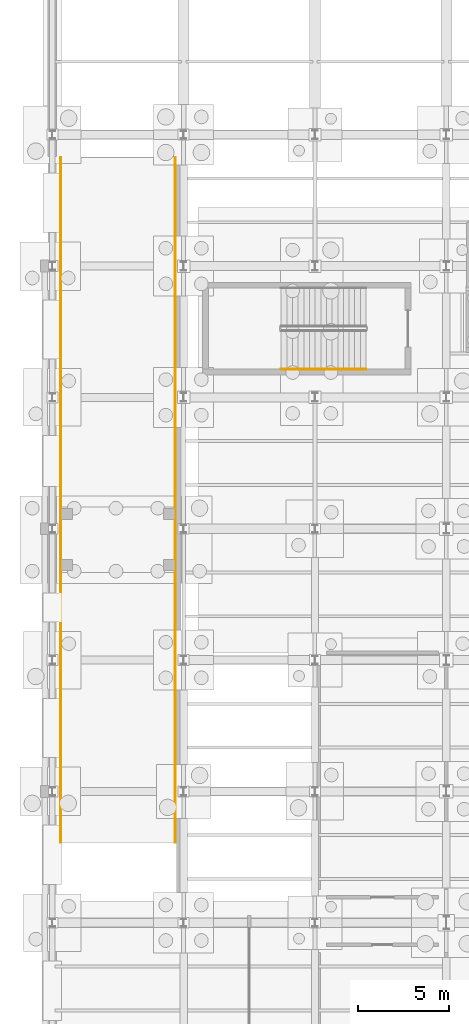
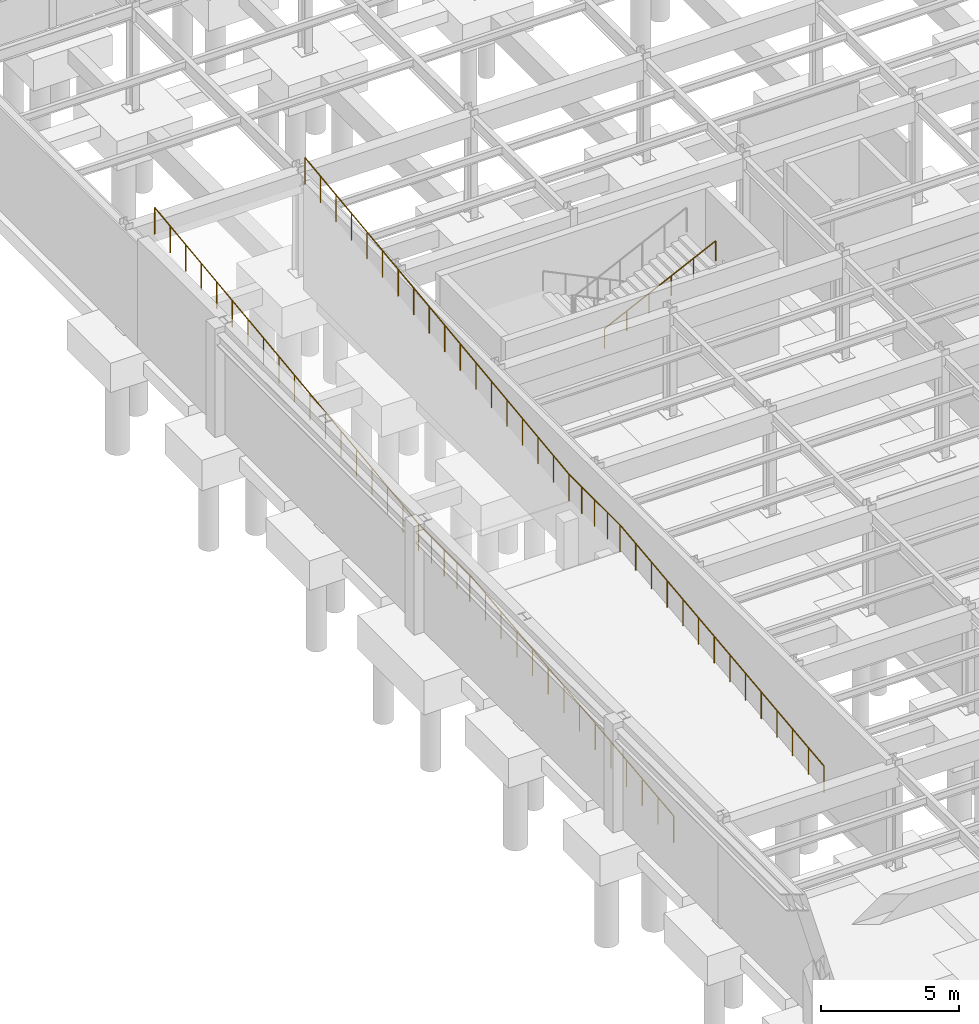
# One storey, part 54 of 64: 3 railings.
"""IFC4 building model written with IfcOpenShell, lengths in metres."""

from ifc_helpers import new_model, si_unit, direction, frame, origin, origin_2d, place, context, subcontext, project, spatial, circle, extrude, material, type_object, element, save


model = new_model("IFC4")

# Units and contexts
model_context = context("Model", 3, precision=1e-05, world=origin(), true_north=direction((0.0, 1.0)))
body_context = subcontext(model_context, "Body", "Model", "MODEL_VIEW")
ifc_project = project(units=[si_unit("LENGTHUNIT", "METRE"), si_unit("AREAUNIT", "SQUARE_METRE"), si_unit("VOLUMEUNIT", "CUBIC_METRE"), si_unit("PLANEANGLEUNIT", "RADIAN"), si_unit("MASSUNIT", "GRAM", prefix="KILO")], contexts=[model_context])

# Site, building, storey
site_placement = place(None, origin())
site = spatial("IfcSite", under=ifc_project, at=site_placement, CompositionType="ELEMENT")
building_placement = place(site_placement, origin())
building = spatial("IfcBuilding", under=site, at=building_placement, Name="Solvadek Multi-Sports Hall", CompositionType="ELEMENT")
storey_placement = place(building_placement, frame((0.0, 0.0, -4.800048828125)))
storey = spatial("IfcBuildingStorey", under=building, at=storey_placement, Name="B1", CompositionType="ELEMENT", Elevation=-4.800048828125)

# Railings
ifc_material = material(Name="Steel E250 (250 MPa)", Category="steel")
railing_type_1 = type_object("IfcRailingType", Name="INT-RAL-GRD115", PredefinedType="BALUSTRADE", material=ifc_material)
railing_1_placement = place(storey_placement, frame((0.4599609375, 53.60009765625, 0.699951171875)))
element("IfcRailing", 1, at=railing_1_placement, inside=storey, type_object=railing_type_1, Name="West Car Park Vehicle Ramp VR-01 Side Safety Guard W", PredefinedType="BALUSTRADE", context=body_context, shape_type="SweptSolid", body=[
    extrude(circle(Radius=0.02392578125, at=origin_2d()), frame((0.0, 0.0, 1.17578125), z_axis=(0.0, 0.993422179676, 0.114509270049), x_axis=(-1.0, 0.0, 0.0)), (0.0, 0.0, 1.0), 14.84765625),
    extrude(circle(Radius=0.02392578125, at=origin_2d()), frame((0.0, 14.75, 2.8759765625), z_axis=(0.0, 1.0, 0.0), x_axis=(-1.0, 0.0, 0.0)), (0.0, 0.0, 1.0), 3.699951171875),
    extrude(circle(Radius=0.02392578125, at=origin_2d()), frame((0.0, 18.449951171875, 2.8759765625), z_axis=(0.0, 0.992198260719, 0.124670010135), x_axis=(-1.0, 0.0, 0.0)), (0.0, 0.0, 1.0), 19.25),
    extrude(circle(Radius=0.02099609375, at=origin_2d()), origin(), (0.0, 0.0, 1.0), 1.15185546875),
    extrude(circle(Radius=0.02099609375, at=origin_2d()), frame((0.0, 1.134521484375, 0.130859375)), (0.0, 0.0, 1.0), 1.15185546875),
    extrude(circle(Radius=0.02099609375, at=origin_2d()), frame((0.0, 2.269287109375, 0.261474609375)), (0.0, 0.0, 1.0), 1.15185546875),
    extrude(circle(Radius=0.02099609375, at=origin_2d()), frame((0.0, 3.40380859375, 0.392333984375)), (0.0, 0.0, 1.0), 1.15185546875),
    extrude(circle(Radius=0.02099609375, at=origin_2d()), frame((0.0, 4.53857421875, 0.523193359375)), (0.0, 0.0, 1.0), 1.15185546875),
    extrude(circle(Radius=0.02099609375, at=origin_2d()), frame((0.0, 5.673095703125, 0.65380859375)), (0.0, 0.0, 1.0), 1.15185546875),
    extrude(circle(Radius=0.02099609375, at=origin_2d()), frame((0.0, 6.8076171875, 0.78466796875)), (0.0, 0.0, 1.0), 1.15185546875),
    extrude(circle(Radius=0.02099609375, at=origin_2d()), frame((0.0, 7.9423828125, 0.91552734375)), (0.0, 0.0, 1.0), 1.15185546875),
    extrude(circle(Radius=0.02099609375, at=origin_2d()), frame((0.0, 9.076904296875, 1.04638671875)), (0.0, 0.0, 1.0), 1.15185546875),
    extrude(circle(Radius=0.02099609375, at=origin_2d()), frame((0.0, 10.21142578125, 1.177001953125)), (0.0, 0.0, 1.0), 1.15185546875),
    extrude(circle(Radius=0.02099609375, at=origin_2d()), frame((0.0, 11.34619140625, 1.307861328125)), (0.0, 0.0, 1.0), 1.15185546875),
    extrude(circle(Radius=0.02099609375, at=origin_2d()), frame((0.0, 12.480712890625, 1.438720703125)), (0.0, 0.0, 1.0), 1.15185546875),
    extrude(circle(Radius=0.02099609375, at=origin_2d()), frame((0.0, 13.615478515625, 1.5693359375)), (0.0, 0.0, 1.0), 1.15185546875),
    extrude(circle(Radius=0.02099609375, at=origin_2d()), frame((0.0, 14.75, 1.7001953125)), (0.0, 0.0, 1.0), 1.15185546875),
    extrude(circle(Radius=0.02099609375, at=origin_2d()), frame((0.0, 15.675048828125, 1.7001953125)), (0.0, 0.0, 1.0), 1.15185546875),
    extrude(circle(Radius=0.02099609375, at=origin_2d()), frame((0.0, 16.60009765625, 1.7001953125)), (0.0, 0.0, 1.0), 1.15185546875),
    extrude(circle(Radius=0.02099609375, at=origin_2d()), frame((0.0, 17.52490234375, 1.7001953125)), (0.0, 0.0, 1.0), 1.15185546875),
    extrude(circle(Radius=0.02099609375, at=origin_2d()), frame((0.0, 18.449951171875, 1.7001953125)), (0.0, 0.0, 1.0), 1.15185546875),
    extrude(circle(Radius=0.02099609375, at=origin_2d()), frame((0.0, 19.573486328125, 1.84130859375)), (0.0, 0.0, 1.0), 1.15185546875),
    extrude(circle(Radius=0.02099609375, at=origin_2d()), frame((0.0, 20.697021484375, 1.982421875)), (0.0, 0.0, 1.0), 1.15185546875),
    extrude(circle(Radius=0.02099609375, at=origin_2d()), frame((0.0, 21.820556640625, 2.123779296875)), (0.0, 0.0, 1.0), 1.15185546875),
    extrude(circle(Radius=0.02099609375, at=origin_2d()), frame((0.0, 22.944091796875, 2.264892578125)), (0.0, 0.0, 1.0), 1.15185546875),
    extrude(circle(Radius=0.02099609375, at=origin_2d()), frame((0.0, 24.067626953125, 2.406005859375)), (0.0, 0.0, 1.0), 1.15185546875),
    extrude(circle(Radius=0.02099609375, at=origin_2d()), frame((0.0, 25.191162109375, 2.547119140625)), (0.0, 0.0, 1.0), 1.15185546875),
    extrude(circle(Radius=0.02099609375, at=origin_2d()), frame((0.0, 26.314697265625, 2.6884765625)), (0.0, 0.0, 1.0), 1.15185546875),
    extrude(circle(Radius=0.02099609375, at=origin_2d()), frame((0.0, 27.438232421875, 2.82958984375)), (0.0, 0.0, 1.0), 1.15185546875),
    extrude(circle(Radius=0.02099609375, at=origin_2d()), frame((0.0, 28.5615234375, 2.970703125)), (0.0, 0.0, 1.0), 1.15185546875),
    extrude(circle(Radius=0.02099609375, at=origin_2d()), frame((0.0, 29.68505859375, 3.11181640625)), (0.0, 0.0, 1.0), 1.15185546875),
    extrude(circle(Radius=0.02099609375, at=origin_2d()), frame((0.0, 30.80859375, 3.253173828125)), (0.0, 0.0, 1.0), 1.15185546875),
    extrude(circle(Radius=0.02099609375, at=origin_2d()), frame((0.0, 31.93212890625, 3.394287109375)), (0.0, 0.0, 1.0), 1.15185546875),
    extrude(circle(Radius=0.02099609375, at=origin_2d()), frame((0.0, 33.0556640625, 3.535400390625)), (0.0, 0.0, 1.0), 1.15185546875),
    extrude(circle(Radius=0.02099609375, at=origin_2d()), frame((0.0, 34.17919921875, 3.676513671875)), (0.0, 0.0, 1.0), 1.15185546875),
    extrude(circle(Radius=0.02099609375, at=origin_2d()), frame((0.0, 35.302734375, 3.81787109375)), (0.0, 0.0, 1.0), 1.15185546875),
    extrude(circle(Radius=0.02099609375, at=origin_2d()), frame((0.0, 36.42626953125, 3.958984375)), (0.0, 0.0, 1.0), 1.15185546875),
    extrude(circle(Radius=0.02099609375, at=origin_2d()), frame((0.0, 37.5498046875, 4.10009765625)), (0.0, 0.0, 1.0), 1.15185546875),
])
railing_2_placement = place(storey_placement, frame((6.739990234375, 53.60009765625, 0.699951171875)))
element("IfcRailing", 2, at=railing_2_placement, inside=storey, type_object=railing_type_1, Name="West Car Park Vehicle Ramp VR-01 Side Safety Guard E", PredefinedType="BALUSTRADE", context=body_context, shape_type="SweptSolid", body=[
    extrude(circle(Radius=0.02392578125, at=origin_2d()), frame((0.0, 0.0, 1.17578125), z_axis=(0.0, 0.993422179676, 0.114509270049), x_axis=(-1.0, 0.0, 0.0)), (0.0, 0.0, 1.0), 14.84765625),
    extrude(circle(Radius=0.02392578125, at=origin_2d()), frame((0.0, 14.75, 2.8759765625), z_axis=(0.0, 1.0, 0.0), x_axis=(-1.0, 0.0, 0.0)), (0.0, 0.0, 1.0), 3.699951171875),
    extrude(circle(Radius=0.02392578125, at=origin_2d()), frame((0.0, 18.449951171875, 2.8759765625), z_axis=(0.0, 0.992198260719, 0.124670010135), x_axis=(-1.0, 0.0, 0.0)), (0.0, 0.0, 1.0), 19.25),
    extrude(circle(Radius=0.02099609375, at=origin_2d()), origin(), (0.0, 0.0, 1.0), 1.15185546875),
    extrude(circle(Radius=0.02099609375, at=origin_2d()), frame((0.0, 1.134521484375, 0.130859375)), (0.0, 0.0, 1.0), 1.15185546875),
    extrude(circle(Radius=0.02099609375, at=origin_2d()), frame((0.0, 2.269287109375, 0.261474609375)), (0.0, 0.0, 1.0), 1.15185546875),
    extrude(circle(Radius=0.02099609375, at=origin_2d()), frame((0.0, 3.40380859375, 0.392333984375)), (0.0, 0.0, 1.0), 1.15185546875),
    extrude(circle(Radius=0.02099609375, at=origin_2d()), frame((0.0, 4.53857421875, 0.523193359375)), (0.0, 0.0, 1.0), 1.15185546875),
    extrude(circle(Radius=0.02099609375, at=origin_2d()), frame((0.0, 5.673095703125, 0.65380859375)), (0.0, 0.0, 1.0), 1.15185546875),
    extrude(circle(Radius=0.02099609375, at=origin_2d()), frame((0.0, 6.8076171875, 0.78466796875)), (0.0, 0.0, 1.0), 1.15185546875),
    extrude(circle(Radius=0.02099609375, at=origin_2d()), frame((0.0, 7.9423828125, 0.91552734375)), (0.0, 0.0, 1.0), 1.15185546875),
    extrude(circle(Radius=0.02099609375, at=origin_2d()), frame((0.0, 9.076904296875, 1.04638671875)), (0.0, 0.0, 1.0), 1.15185546875),
    extrude(circle(Radius=0.02099609375, at=origin_2d()), frame((0.0, 10.21142578125, 1.177001953125)), (0.0, 0.0, 1.0), 1.15185546875),
    extrude(circle(Radius=0.02099609375, at=origin_2d()), frame((0.0, 11.34619140625, 1.307861328125)), (0.0, 0.0, 1.0), 1.15185546875),
    extrude(circle(Radius=0.02099609375, at=origin_2d()), frame((0.0, 12.480712890625, 1.438720703125)), (0.0, 0.0, 1.0), 1.15185546875),
    extrude(circle(Radius=0.02099609375, at=origin_2d()), frame((0.0, 13.615478515625, 1.5693359375)), (0.0, 0.0, 1.0), 1.15185546875),
    extrude(circle(Radius=0.02099609375, at=origin_2d()), frame((0.0, 14.75, 1.7001953125)), (0.0, 0.0, 1.0), 1.15185546875),
    extrude(circle(Radius=0.02099609375, at=origin_2d()), frame((0.0, 15.675048828125, 1.7001953125)), (0.0, 0.0, 1.0), 1.15185546875),
    extrude(circle(Radius=0.02099609375, at=origin_2d()), frame((0.0, 16.60009765625, 1.7001953125)), (0.0, 0.0, 1.0), 1.15185546875),
    extrude(circle(Radius=0.02099609375, at=origin_2d()), frame((0.0, 17.52490234375, 1.7001953125)), (0.0, 0.0, 1.0), 1.15185546875),
    extrude(circle(Radius=0.02099609375, at=origin_2d()), frame((0.0, 18.449951171875, 1.7001953125)), (0.0, 0.0, 1.0), 1.15185546875),
    extrude(circle(Radius=0.02099609375, at=origin_2d()), frame((0.0, 19.573486328125, 1.84130859375)), (0.0, 0.0, 1.0), 1.15185546875),
    extrude(circle(Radius=0.02099609375, at=origin_2d()), frame((0.0, 20.697021484375, 1.982421875)), (0.0, 0.0, 1.0), 1.15185546875),
    extrude(circle(Radius=0.02099609375, at=origin_2d()), frame((0.0, 21.820556640625, 2.123779296875)), (0.0, 0.0, 1.0), 1.15185546875),
    extrude(circle(Radius=0.02099609375, at=origin_2d()), frame((0.0, 22.944091796875, 2.264892578125)), (0.0, 0.0, 1.0), 1.15185546875),
    extrude(circle(Radius=0.02099609375, at=origin_2d()), frame((0.0, 24.067626953125, 2.406005859375)), (0.0, 0.0, 1.0), 1.15185546875),
    extrude(circle(Radius=0.02099609375, at=origin_2d()), frame((0.0, 25.191162109375, 2.547119140625)), (0.0, 0.0, 1.0), 1.15185546875),
    extrude(circle(Radius=0.02099609375, at=origin_2d()), frame((0.0, 26.314697265625, 2.6884765625)), (0.0, 0.0, 1.0), 1.15185546875),
    extrude(circle(Radius=0.02099609375, at=origin_2d()), frame((0.0, 27.438232421875, 2.82958984375)), (0.0, 0.0, 1.0), 1.15185546875),
    extrude(circle(Radius=0.02099609375, at=origin_2d()), frame((0.0, 28.5615234375, 2.970703125)), (0.0, 0.0, 1.0), 1.15185546875),
    extrude(circle(Radius=0.02099609375, at=origin_2d()), frame((0.0, 29.68505859375, 3.11181640625)), (0.0, 0.0, 1.0), 1.15185546875),
    extrude(circle(Radius=0.02099609375, at=origin_2d()), frame((0.0, 30.80859375, 3.253173828125)), (0.0, 0.0, 1.0), 1.15185546875),
    extrude(circle(Radius=0.02099609375, at=origin_2d()), frame((0.0, 31.93212890625, 3.394287109375)), (0.0, 0.0, 1.0), 1.15185546875),
    extrude(circle(Radius=0.02099609375, at=origin_2d()), frame((0.0, 33.0556640625, 3.535400390625)), (0.0, 0.0, 1.0), 1.15185546875),
    extrude(circle(Radius=0.02099609375, at=origin_2d()), frame((0.0, 34.17919921875, 3.676513671875)), (0.0, 0.0, 1.0), 1.15185546875),
    extrude(circle(Radius=0.02099609375, at=origin_2d()), frame((0.0, 35.302734375, 3.81787109375)), (0.0, 0.0, 1.0), 1.15185546875),
    extrude(circle(Radius=0.02099609375, at=origin_2d()), frame((0.0, 36.42626953125, 3.958984375)), (0.0, 0.0, 1.0), 1.15185546875),
    extrude(circle(Radius=0.02099609375, at=origin_2d()), frame((0.0, 37.5498046875, 4.10009765625)), (0.0, 0.0, 1.0), 1.15185546875),
])
railing_type_2 = type_object("IfcRailingType", Name="INT-RAL-HND090", PredefinedType="HANDRAIL", material=ifc_material)
railing_3_placement = place(storey_placement, frame((12.550048828125, 79.550048828125, 2.550048828125)))
element("IfcRailing", 3, at=railing_3_placement, inside=storey, type_object=railing_type_2, Name="B1 ST-02 stair handrail 2", PredefinedType="HANDRAIL", context=body_context, shape_type="SweptSolid", body=[
    extrude(circle(Radius=0.02392578125, at=origin_2d()), frame((0.0, 0.0, 0.8759765625), z_axis=(0.900155664878, 0.0, 0.435568340204), x_axis=(0.0, 1.0, 0.0)), (0.0, 0.0, 1.0), 5.165771484375),
    extrude(circle(Radius=0.02099609375, at=origin_2d()), origin(), (0.0, 0.0, 1.0), 0.851806640625),
    extrude(circle(Radius=0.02099609375, at=origin_2d()), frame((0.929931640625, 0.0, 0.449951171875)), (0.0, 0.0, 1.0), 0.851806640625),
    extrude(circle(Radius=0.02099609375, at=origin_2d()), frame((1.85986328125, 0.0, 0.89990234375)), (0.0, 0.0, 1.0), 0.851806640625),
    extrude(circle(Radius=0.02099609375, at=origin_2d()), frame((2.7900390625, 0.0, 1.35009765625)), (0.0, 0.0, 1.0), 0.851806640625),
    extrude(circle(Radius=0.02099609375, at=origin_2d()), frame((3.719970703125, 0.0, 1.800048828125)), (0.0, 0.0, 1.0), 0.851806640625),
    extrude(circle(Radius=0.02099609375, at=origin_2d()), frame((4.64990234375, 0.0, 2.25)), (0.0, 0.0, 1.0), 0.851806640625),
])

save(model, "model.ifc")
